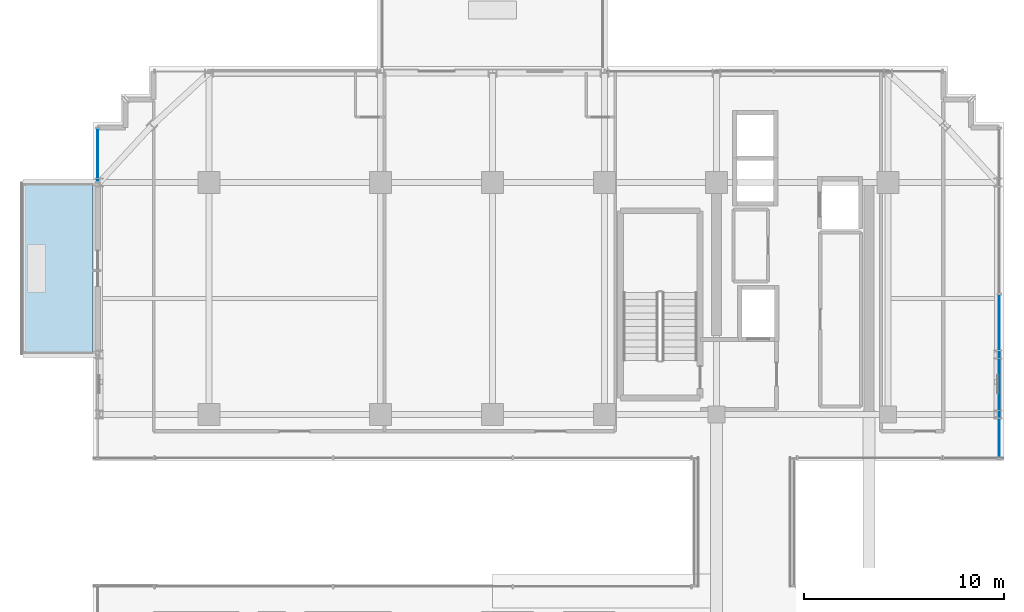
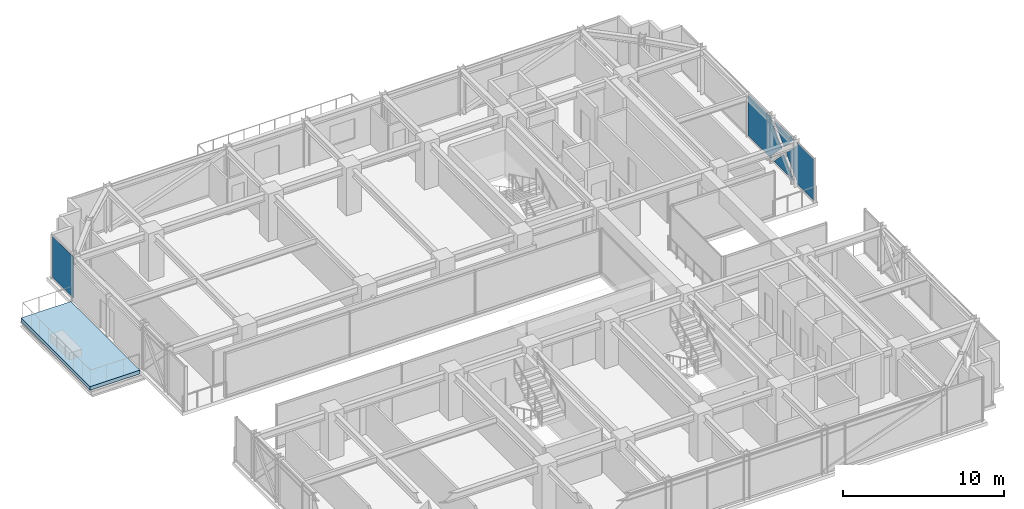
# One storey, part 33 of 43: 2 plates, 1 slab, 2 elements without a shape of their own.
"""IFC4 building model written with IfcOpenShell, lengths in metres."""

from ifc_helpers import new_model, si_unit, direction, frame, origin, origin_2d, place, context, subcontext, project, spatial, polyline, rectangle, outline, extrude, source, transform, mapped, material, layer, layer_set, type_object, element, aggregate, save


model = new_model("IFC4")

# Units and contexts
model_context = context("Model", 3, precision=1e-05, world=origin(), true_north=direction((0.0, 1.0)))
body_context = subcontext(model_context, "Body", "Model", "MODEL_VIEW")
ifc_project = project(units=[si_unit("LENGTHUNIT", "METRE"), si_unit("AREAUNIT", "SQUARE_METRE"), si_unit("VOLUMEUNIT", "CUBIC_METRE"), si_unit("PLANEANGLEUNIT", "RADIAN"), si_unit("MASSUNIT", "GRAM", prefix="KILO")], contexts=[model_context])

# Site, building, storey
site_placement = place(None, origin())
site = spatial("IfcSite", under=ifc_project, at=site_placement, CompositionType="ELEMENT")
building_placement = place(site_placement, origin())
building = spatial("IfcBuilding", under=site, at=building_placement, Name="Nahalor Promenade Grand Hotel", CompositionType="ELEMENT")
storey_placement = place(building_placement, frame((0.0, 0.0, 181.85009765625)))
storey = spatial("IfcBuildingStorey", under=building, at=storey_placement, Name="L46", CompositionType="ELEMENT", Elevation=181.85009765625)

# Curtain wall, plate
ifc_material_1 = material(Name="Anodised Bronze Aluminium EN AW-6063 T6", Category="aluminium")
curtain_wall_type = type_object("IfcCurtainWallType", Name="CW3 Elliptical-Void Collar Unitised Curtain Wall", PredefinedType="USERDEFINED", material=ifc_material_1)
curtain_wall_1_placement = place(storey_placement, origin())
curtain_wall_1 = element("IfcCurtainWall", 1, at=curtain_wall_1_placement, inside=storey, type_object=curtain_wall_type, Name="L46 Curtain Wall CW-L46-E-2", ObjectType="UNITISED_CURTAIN_WALL", PredefinedType="USERDEFINED")
ifc_material_2 = material(Name="Low-E Laminated Solar Glass", Category="glass")
ifc_layer_1 = layer(ifc_material_2, 0.030029296875)
ifc_layer_set_1 = layer_set([ifc_layer_1], Name="Low-E Laminated Solar Glass")
plate_type = type_object("IfcPlateType", Name="CWP3 High-Wind Laminated Bronze IGU 30mm", PredefinedType="CURTAIN_PANEL", material=ifc_layer_set_1)
plate_1_placement = place(storey_placement, frame((22.56005859375, 7.282470703125, 0.1396484375), z_axis=(0.0, 0.0, 1.0), x_axis=(0.0, 1.0, 0.0)))
plate_1 = element("IfcPlate", 2, at=plate_1_placement, type_object=plate_type, Name="CW-L46-E-2 Glazing Panel 0-0", PredefinedType="CURTAIN_PANEL", context=body_context, shape_type="SweptSolid", body=[
    extrude(outline(polyline([(-4.112548828125, 3.110107421875), (-4.112548828125, 0.0), (-1.908203125, 0.0), (-2.04345703125, 0.13134765625), (-0.661376953125, 1.554931640625), (-2.04345703125, 2.978515625), (-1.908203125, 3.110107421875), (-4.112548828125, 3.110107421875)])), frame((0.0, 0.01513671875, 0.0), z_axis=(0.0, -1.0, 0.0), x_axis=(1.0, 0.0, 0.0)), (0.0, 0.0, 1.0), 0.030029296875),
    extrude(outline(polyline([(-0.382568359375, 1.267822265625), (-1.613525390625, 0.0), (0.848388671875, 0.0), (-0.382568359375, 1.267822265625)])), frame((0.0, 0.01513671875, 0.0), z_axis=(0.0, -1.0, 0.0), x_axis=(1.0, 0.0, 0.0)), (0.0, 0.0, 1.0), 0.030029296875),
    extrude(outline(polyline([(-0.382568359375, 1.842041015625), (0.848388671875, 3.110107421875), (-1.613525390625, 3.110107421875), (-0.382568359375, 1.842041015625)])), frame((0.0, 0.01513671875, 0.0), z_axis=(0.0, -1.0, 0.0), x_axis=(1.0, 0.0, 0.0)), (0.0, 0.0, 1.0), 0.030029296875),
    extrude(outline(polyline([(4.112548828125, 0.0), (4.112548828125, 3.110107421875), (1.14306640625, 3.110107421875), (1.2783203125, 2.978515625), (-0.103759765625, 1.554931640625), (1.2783203125, 0.13134765625), (1.14306640625, 0.0), (4.112548828125, 0.0)])), frame((0.0, 0.01513671875, 0.0), z_axis=(0.0, -1.0, 0.0), x_axis=(1.0, 0.0, 0.0)), (0.0, 0.0, 1.0), 0.030029296875),
])
aggregate(curtain_wall_1, [plate_1])

# Slab
ifc_material_3 = material(Name="Concrete B-50 (C40/50)", Category="concrete")
ifc_layer_2 = layer(ifc_material_3, 0.280029296875)
ifc_layer_set_2 = layer_set([ifc_layer_2], Name="Concrete B-50 (C40/50)")
slab_type = type_object("IfcSlabType", Name="Slab-Balcony-280", PredefinedType="FLOOR", material=ifc_layer_set_2)
slab_placement = place(storey_placement, frame((0.0, 0.0, -0.280029296875)))
element("IfcSlab", 3, at=slab_placement, inside=storey, type_object=slab_type, Name="L46 Cantilevered Planted Balcony 2", PredefinedType="FLOOR", context=body_context, shape_type="SweptSolid", body=[
    extrude(outline(polyline([(-26.3798828125, 8.39990234375), (-22.800048828125, 8.39990234375), (-22.800048828125, 17.0), (-26.3798828125, 17.0), (-26.3798828125, 8.39990234375)])), origin(), (0.0, 0.0, 1.0), 0.280029296875),
])

# Curtain wall, plate
curtain_wall_2_placement = place(storey_placement, origin())
curtain_wall_2 = element("IfcCurtainWall", 4, at=curtain_wall_2_placement, inside=storey, type_object=curtain_wall_type, Name="L46 Curtain Wall CW-L46-W-4", ObjectType="UNITISED_CURTAIN_WALL", PredefinedType="USERDEFINED")
shared_shape = source(origin(), body_context, "Body", "SweptSolid", [
    extrude(rectangle(XDim=2.6201171875, YDim=0.030029296875, at=origin_2d()), origin(), (0.0, 0.0, 1.0), 3.110107421875),
])
plate_2_placement = place(storey_placement, frame((-22.56005859375, 18.3798828125, 0.1396484375), z_axis=(0.0, 0.0, 1.0), x_axis=(0.0, 1.0, 0.0)))
plate_2 = element("IfcPlate", 5, at=plate_2_placement, type_object=plate_type, Name="CW-L46-W-4 Glazing Panel 0-0", PredefinedType="CURTAIN_PANEL", context=body_context, shape_type="MappedRepresentation", body=[
    mapped(shared_shape, transform((0.0, 0.0, 0.0), scale=1.0)),
])
aggregate(curtain_wall_2, [plate_2])

save(model, "model.ifc")
